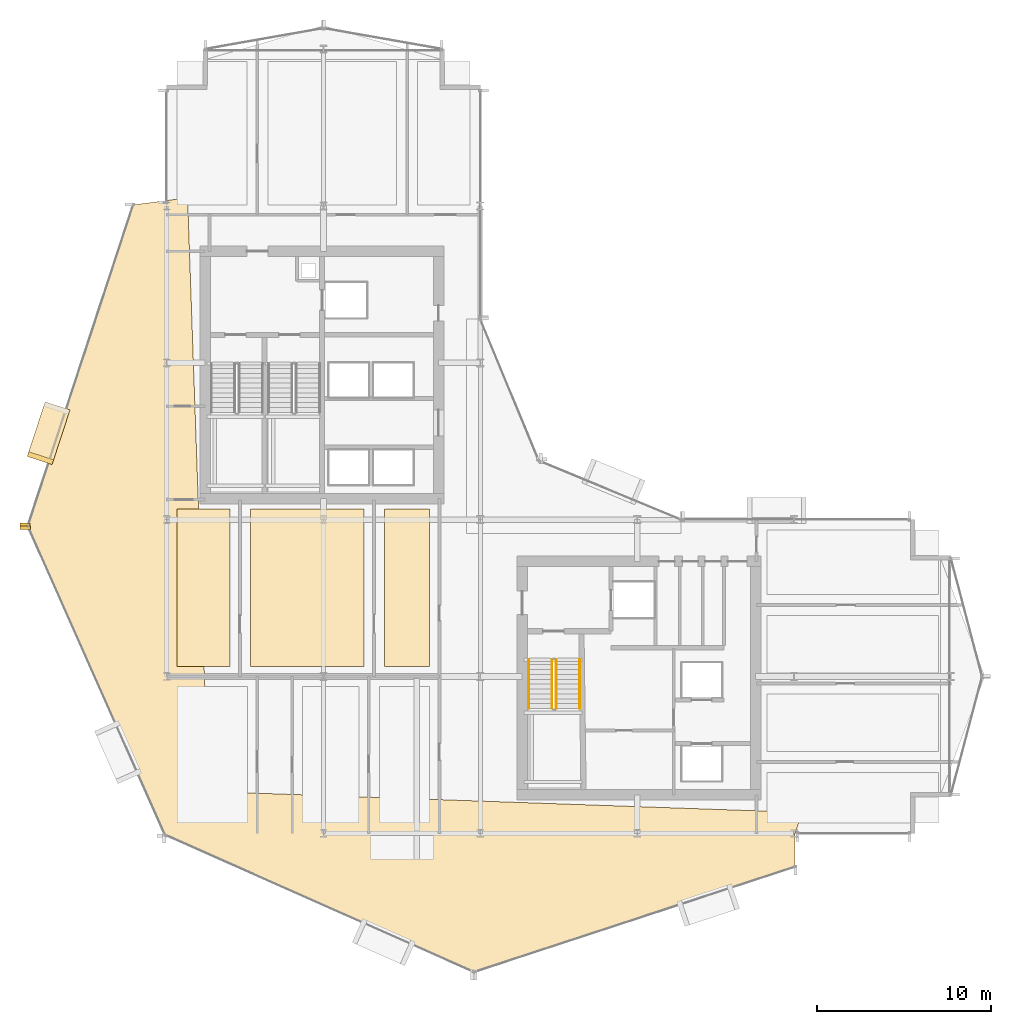
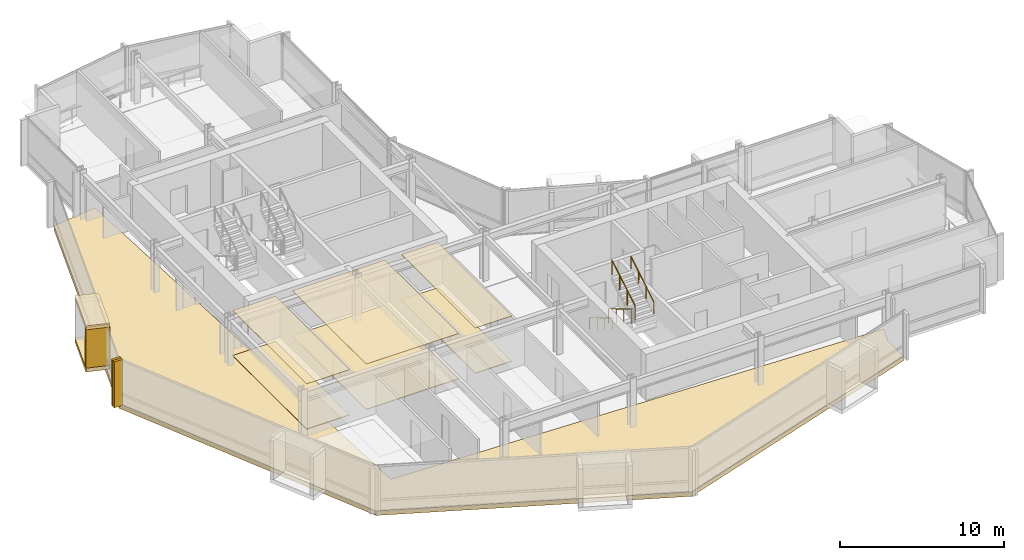
# One storey, part 26 of 29: 12 coverings, 4 railings.
"""IFC4 building model written with IfcOpenShell, lengths in metres."""

from ifc_helpers import new_model, si_unit, direction, frame, origin, origin_2d, place, context, subcontext, project, spatial, polyline, rectangle, circle, outline, extrude, material, layer, layer_set, type_object, element, save


model = new_model("IFC4")

# Units and contexts
model_context = context("Model", 3, precision=1e-05, world=origin(), true_north=direction((0.0, 1.0)))
body_context = subcontext(model_context, "Body", "Model", "MODEL_VIEW")
ifc_project = project(units=[si_unit("LENGTHUNIT", "METRE"), si_unit("AREAUNIT", "SQUARE_METRE"), si_unit("VOLUMEUNIT", "CUBIC_METRE"), si_unit("PLANEANGLEUNIT", "RADIAN"), si_unit("MASSUNIT", "GRAM", prefix="KILO")], contexts=[model_context])

# Site, building, storey
site_placement = place(None, origin())
site = spatial("IfcSite", under=ifc_project, at=site_placement, CompositionType="ELEMENT")
building_placement = place(site_placement, origin())
building = spatial("IfcBuilding", under=site, at=building_placement, Name="Solvaryn Broadcast Tower", CompositionType="ELEMENT")
storey_placement = place(building_placement, frame((0.0, 0.0, 117.39990234375)))
storey = spatial("IfcBuildingStorey", under=building, at=storey_placement, Name="L28", CompositionType="ELEMENT", Elevation=117.39990234375)

# Coverings
ifc_material_1 = material(Name="Micro-Perforated Acoustic Gypsum Ceiling", Category="concrete")
ifc_layer_1 = layer(ifc_material_1, 0.0400390625)
ifc_layer_set_1 = layer_set([ifc_layer_1], Name="CV-CEIL-ACOUSTIC")
covering_type_1 = type_object("IfcCoveringType", Name="CV-CEIL-ACOUSTIC", PredefinedType="CEILING", material=ifc_layer_set_1)
covering_1_placement = place(storey_placement, frame((0.0, 0.0, 3.380126953125)))
element("IfcCovering", 1, at=covering_1_placement, inside=storey, type_object=covering_type_1, Name="L28 Room Acoustic Ceiling 1", PredefinedType="CEILING", context=body_context, shape_type="SweptSolid", body=[
    extrude(outline(polyline([(9.60009765625, 18.570068359375), (12.6298828125, 18.570068359375), (12.6298828125, 27.60009765625), (9.60009765625, 27.60009765625), (9.60009765625, 18.570068359375)])), origin(), (0.0, 0.0, 1.0), 0.0400390625),
])
covering_2_placement = place(storey_placement, frame((0.0, 0.0, 3.380126953125)))
element("IfcCovering", 2, at=covering_2_placement, inside=storey, type_object=covering_type_1, Name="L28 Room Acoustic Ceiling 2", PredefinedType="CEILING", context=body_context, shape_type="SweptSolid", body=[
    extrude(outline(polyline([(13.800048828125, 18.570068359375), (20.330078125, 18.570068359375), (20.330078125, 27.60009765625), (13.800048828125, 27.60009765625), (13.800048828125, 18.570068359375)])), origin(), (0.0, 0.0, 1.0), 0.0400390625),
])
covering_3_placement = place(storey_placement, frame((0.0, 0.0, 3.380126953125)))
element("IfcCovering", 3, at=covering_3_placement, inside=storey, type_object=covering_type_1, Name="L28 Room Acoustic Ceiling 3", PredefinedType="CEILING", context=body_context, shape_type="SweptSolid", body=[
    extrude(outline(polyline([(21.5, 18.570068359375), (24.080078125, 18.570068359375), (24.080078125, 27.60009765625), (21.5, 27.60009765625), (21.5, 18.570068359375)])), origin(), (0.0, 0.0, 1.0), 0.0400390625),
])
ifc_material_2 = material(Name="Newsroom Raised Data Access Flooring", Category="steel")
ifc_layer_2 = layer(ifc_material_2, 0.050048828125)
ifc_layer_set_2 = layer_set([ifc_layer_2], Name="CV-FLOOR-RAISED")
covering_type_2 = type_object("IfcCoveringType", Name="CV-FLOOR-RAISED", PredefinedType="FLOORING", material=ifc_layer_set_2)
covering_4_placement = place(storey_placement, origin())
element("IfcCovering", 4, at=covering_4_placement, inside=storey, type_object=covering_type_2, Name="L28 Room Acoustic Floor Finish 1", PredefinedType="FLOORING", context=body_context, shape_type="SweptSolid", body=[
    extrude(outline(polyline([(9.60009765625, 18.570068359375), (12.6298828125, 18.570068359375), (12.6298828125, 27.60009765625), (9.60009765625, 27.60009765625), (9.60009765625, 18.570068359375)])), origin(), (0.0, 0.0, 1.0), 0.050048828125),
])
covering_5_placement = place(storey_placement, origin())
element("IfcCovering", 5, at=covering_5_placement, inside=storey, type_object=covering_type_2, Name="L28 Room Acoustic Floor Finish 2", PredefinedType="FLOORING", context=body_context, shape_type="SweptSolid", body=[
    extrude(outline(polyline([(13.800048828125, 18.570068359375), (20.330078125, 18.570068359375), (20.330078125, 27.60009765625), (13.800048828125, 27.60009765625), (13.800048828125, 18.570068359375)])), origin(), (0.0, 0.0, 1.0), 0.050048828125),
])
covering_6_placement = place(storey_placement, origin())
element("IfcCovering", 6, at=covering_6_placement, inside=storey, type_object=covering_type_2, Name="L28 Room Acoustic Floor Finish 3", PredefinedType="FLOORING", context=body_context, shape_type="SweptSolid", body=[
    extrude(outline(polyline([(21.5, 18.570068359375), (24.080078125, 18.570068359375), (24.080078125, 27.60009765625), (21.5, 27.60009765625), (21.5, 18.570068359375)])), origin(), (0.0, 0.0, 1.0), 0.050048828125),
])
ifc_material_3 = material(Name="Glazed Architectural Terracotta Rainscreen Cladding", Category="masonry")
ifc_layer_3 = layer(ifc_material_3, 0.280029296875)
ifc_layer_set_3 = layer_set([ifc_layer_3], Name="CV-TC-CLAD")
covering_type_3 = type_object("IfcCoveringType", Name="CV-TC-CLAD", PredefinedType="CLADDING", material=ifc_layer_set_3)
for number, where, z_axis, x_axis, name in (
    (7, (2.222900390625, 31.9619140625, 3.1298828125), (0.0, 0.0, 1.0), (-0.311671636848, -0.950189870912, 0.0), "L28 Projecting Stone Window Box Hood 1"),
    (8, (2.222900390625, 31.9619140625, -0.009765625), (0.0, 0.0, 1.0), (-0.311671636848, -0.950189870912, 0.0), "L28 Projecting Stone Window Box Sill 1"),
):
    element("IfcCovering", number, at=place(storey_placement, frame(where, z_axis=z_axis, x_axis=x_axis)), inside=storey, type_object=covering_type_3, Name=name, PredefinedType="CLADDING", context=body_context, shape_type="SweptSolid", body=[
        extrude(rectangle(XDim=3.300048828125, YDim=1.5, at=origin_2d()), origin(), (0.0, 0.0, 1.0), 0.300048828125),
    ])
covering_7_placement = place(storey_placement, frame((1.75244140625, 30.527099609375, 0.2802734375), z_axis=(0.0, 0.0, 1.0), x_axis=(-0.311671636848, -0.950189870912, 0.0)))
element("IfcCovering", 9, at=covering_7_placement, inside=storey, type_object=covering_type_3, Name="L28 Projecting Stone Window Box Cheek 1-2", PredefinedType="CLADDING", context=body_context, shape_type="SweptSolid", body=[
    extrude(rectangle(XDim=0.280029296875, YDim=1.5, at=origin_2d()), origin(), (0.0, 0.0, 1.0), 2.860107421875),
])
ifc_material_4 = material(Name="Extruded Architectural Terracotta Fin", Category="masonry")
ifc_layer_4 = layer(ifc_material_4, 0.179931640625)
ifc_layer_set_4 = layer_set([ifc_layer_4], Name="CV-TC-FIN")
covering_type_4 = type_object("IfcCoveringType", Name="CV-TC-FIN", PredefinedType="USERDEFINED", material=ifc_layer_set_4)
for number, where, z_axis, x_axis, name in (
    (10, (0.872314453125, 26.720703125, 0.000244140625), (0.0, 0.0, 1.0), (1.0, 0.0, 0.0), "L28 Terracotta Vertical Fin FIN-L28-DR1-M01"),
    (11, (0.8818359375, 26.535888671875, 0.000244140625), (0.0, 0.0, 1.0), (1.0, 0.0, 0.0), "L28 Terracotta Vertical Fin FIN-L28-DR2-M00"),
):
    element("IfcCovering", number, at=place(storey_placement, frame(where, z_axis=z_axis, x_axis=x_axis)), inside=storey, type_object=covering_type_4, Name=name, ObjectType="FIN", PredefinedType="USERDEFINED", context=body_context, shape_type="SweptSolid", body=[
        extrude(rectangle(XDim=0.580078125, YDim=0.179931640625, at=origin_2d()), origin(), (0.0, 0.0, 1.0), 3.419921875),
    ])
ifc_material_5 = material(Name="Sculpted Architectural Terracotta Wave Fascia", Category="masonry")
ifc_layer_5 = layer(ifc_material_5, 0.340087890625)
ifc_layer_set_5 = layer_set([ifc_layer_5], Name="CV-WAVE-TRAY")
covering_type_5 = type_object("IfcCoveringType", Name="CV-WAVE-TRAY", PredefinedType="CLADDING", material=ifc_layer_set_5)
covering_8_placement = place(storey_placement, frame((0.0, 0.0, -0.2998046875)))
element("IfcCovering", 12, at=covering_8_placement, inside=storey, type_object=covering_type_5, Name="L28 Stepped Cylindrical Drum Floor Apron", PredefinedType="CLADDING", context=body_context, shape_type="SweptSolid", body=[
    extrude(outline(polyline([(10.199951171875, 45.467041015625), (7.0791015625, 45.06689453125), (1.033935546875, 26.635986328125), (8.907958984375, 8.907958984375), (26.635986328125, 1.033935546875), (45.06689453125, 7.0791015625), (45.06689453125, 9.0), (45.467041015625, 10.199951171875), (11.39990234375, 11.39990234375), (10.199951171875, 45.467041015625)])), origin(), (0.0, 0.0, 1.0), 0.329833984375),
])

# Railings
ifc_material_6 = material(Name="Painted Steel Stair Well Guard", Category="steel")
railing_type_1 = type_object("IfcRailingType", Name="RL-STAIR-GUARD", PredefinedType="BALUSTRADE", material=ifc_material_6)
railing_1_placement = place(storey_placement, frame((31.110107421875, 18.9599609375, 0.168212890625)))
element("IfcRailing", 13, at=railing_1_placement, inside=storey, type_object=railing_type_1, Name="L28 ST3 stair guard 1", PredefinedType="BALUSTRADE", context=body_context, shape_type="SweptSolid", body=[
    extrude(circle(Radius=0.02392578125, at=origin_2d()), frame((0.0, 0.0, 1.076171875), z_axis=(0.0, -0.857242210791, 0.514913383045), x_axis=(1.0, 0.0, 0.0)), (0.0, 0.0, 1.0), 3.266357421875),
    extrude(circle(Radius=0.02099609375, at=origin_2d()), origin(), (0.0, 0.0, 1.0), 1.052001953125),
    extrude(circle(Radius=0.02099609375, at=origin_2d()), frame((0.0, -0.933349609375, 0.560546875)), (0.0, 0.0, 1.0), 1.052001953125),
    extrude(circle(Radius=0.02099609375, at=origin_2d()), frame((0.0, -1.86669921875, 1.121337890625)), (0.0, 0.0, 1.0), 1.052001953125),
    extrude(circle(Radius=0.02099609375, at=origin_2d()), frame((0.0, -2.800048828125, 1.681884765625)), (0.0, 0.0, 1.0), 1.052001953125),
])
railing_2_placement = place(storey_placement, frame((31.360107421875, 16.159912109375, 2.018310546875)))
element("IfcRailing", 14, at=railing_2_placement, inside=storey, type_object=railing_type_1, Name="L28 ST3 stair guard 3", PredefinedType="BALUSTRADE", context=body_context, shape_type="SweptSolid", body=[
    extrude(circle(Radius=0.02392578125, at=origin_2d()), frame((0.0, 0.0, 1.076171875), z_axis=(0.0, 0.857242210791, 0.514913383045), x_axis=(-1.0, 0.0, 0.0)), (0.0, 0.0, 1.0), 3.266357421875),
    extrude(circle(Radius=0.02099609375, at=origin_2d()), origin(), (0.0, 0.0, 1.0), 1.052001953125),
    extrude(circle(Radius=0.02099609375, at=origin_2d()), frame((0.0, 0.933349609375, 0.560546875)), (0.0, 0.0, 1.0), 1.052001953125),
    extrude(circle(Radius=0.02099609375, at=origin_2d()), frame((0.0, 1.86669921875, 1.121337890625)), (0.0, 0.0, 1.0), 1.052001953125),
    extrude(circle(Radius=0.02099609375, at=origin_2d()), frame((0.0, 2.800048828125, 1.681884765625)), (0.0, 0.0, 1.0), 1.052001953125),
])
ifc_material_7 = material(Name="Brushed Stainless Steel Tubular Handrail", Category="steel")
railing_type_2 = type_object("IfcRailingType", Name="RL-STAIR-HANDRAIL", PredefinedType="HANDRAIL", material=ifc_material_7)
railing_3_placement = place(storey_placement, frame((29.77001953125, 18.9599609375, 0.168212890625)))
element("IfcRailing", 15, at=railing_3_placement, inside=storey, type_object=railing_type_2, Name="L28 ST3 stair handrail 1", PredefinedType="HANDRAIL", context=body_context, shape_type="SweptSolid", body=[
    extrude(circle(Radius=0.02392578125, at=origin_2d()), frame((0.0, 0.0, 0.8759765625), z_axis=(0.0, -0.857242210791, 0.514913383045), x_axis=(1.0, 0.0, 0.0)), (0.0, 0.0, 1.0), 3.266357421875),
    extrude(circle(Radius=0.02099609375, at=origin_2d()), origin(), (0.0, 0.0, 1.0), 0.851806640625),
    extrude(circle(Radius=0.02099609375, at=origin_2d()), frame((0.0, -0.933349609375, 0.560546875)), (0.0, 0.0, 1.0), 0.851806640625),
    extrude(circle(Radius=0.02099609375, at=origin_2d()), frame((0.0, -1.86669921875, 1.121337890625)), (0.0, 0.0, 1.0), 0.851806640625),
    extrude(circle(Radius=0.02099609375, at=origin_2d()), frame((0.0, -2.800048828125, 1.681884765625)), (0.0, 0.0, 1.0), 0.851806640625),
])
railing_4_placement = place(storey_placement, frame((32.699951171875, 16.159912109375, 2.018310546875)))
element("IfcRailing", 16, at=railing_4_placement, inside=storey, type_object=railing_type_2, Name="L28 ST3 stair handrail 2", PredefinedType="HANDRAIL", context=body_context, shape_type="SweptSolid", body=[
    extrude(circle(Radius=0.02392578125, at=origin_2d()), frame((0.0, 0.0, 0.8759765625), z_axis=(0.0, 0.857242210791, 0.514913383045), x_axis=(-1.0, 0.0, 0.0)), (0.0, 0.0, 1.0), 3.266357421875),
    extrude(circle(Radius=0.02099609375, at=origin_2d()), origin(), (0.0, 0.0, 1.0), 0.851806640625),
    extrude(circle(Radius=0.02099609375, at=origin_2d()), frame((0.0, 0.933349609375, 0.560546875)), (0.0, 0.0, 1.0), 0.851806640625),
    extrude(circle(Radius=0.02099609375, at=origin_2d()), frame((0.0, 1.86669921875, 1.121337890625)), (0.0, 0.0, 1.0), 0.851806640625),
    extrude(circle(Radius=0.02099609375, at=origin_2d()), frame((0.0, 2.800048828125, 1.681884765625)), (0.0, 0.0, 1.0), 0.851806640625),
])

save(model, "model.ifc")
